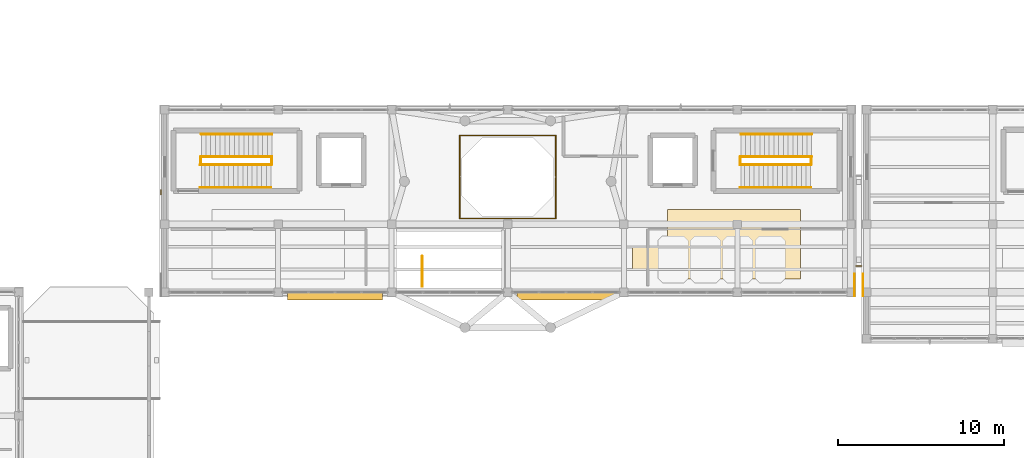
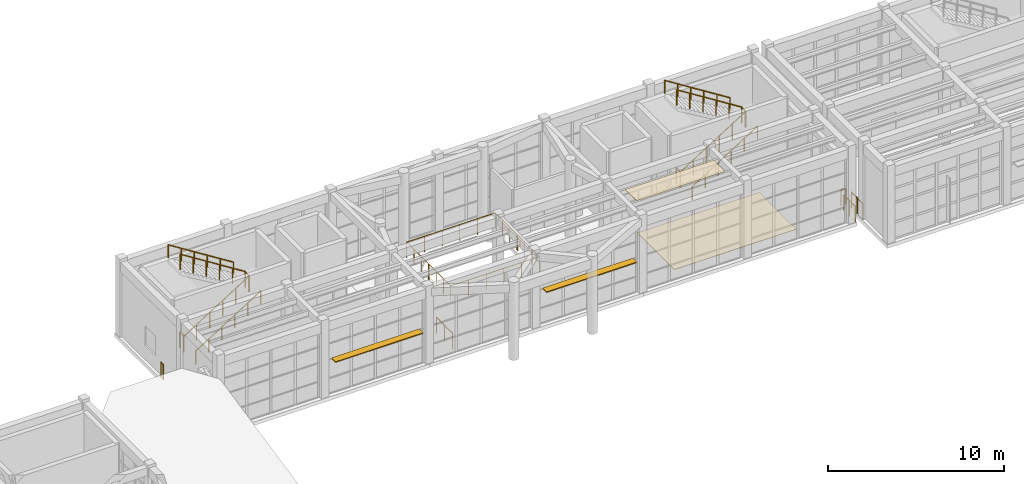
# One storey, part 98 of 103: 19 railings, 2 coverings, 2 shading devices.
"""IFC4 building model written with IfcOpenShell, lengths in metres."""

from ifc_helpers import new_model, si_unit, direction, frame, origin, origin_2d, place, context, subcontext, project, spatial, rectangle, circle, extrude, material, layer, layer_set, type_object, element, save


model = new_model("IFC4")

# Units and contexts
model_context = context("Model", 3, precision=1e-05, world=origin(), true_north=direction((0.0, 1.0)))
body_context = subcontext(model_context, "Body", "Model", "MODEL_VIEW")
ifc_project = project(units=[si_unit("LENGTHUNIT", "METRE"), si_unit("AREAUNIT", "SQUARE_METRE"), si_unit("VOLUMEUNIT", "CUBIC_METRE"), si_unit("PLANEANGLEUNIT", "RADIAN"), si_unit("MASSUNIT", "GRAM", prefix="KILO")], contexts=[model_context])

# Site, building, storey
site_placement = place(None, origin())
site = spatial("IfcSite", under=ifc_project, at=site_placement, CompositionType="ELEMENT")
building_placement = place(site_placement, origin())
building = spatial("IfcBuilding", under=site, at=building_placement, Name="Candilejo Ridge Gondola Terminal", CompositionType="ELEMENT")
storey_placement = place(building_placement, frame((0.0, 0.0, 9.0)))
storey = spatial("IfcBuildingStorey", under=building, at=storey_placement, Name="L02", CompositionType="ELEMENT", Elevation=9.0)

# Coverings
ifc_material_1 = material(Name="Perforated acoustic aluminium linear plank ceiling", Category="aluminium")
ifc_layer_1 = layer(ifc_material_1, 0.044921875)
ifc_layer_set_1 = layer_set([ifc_layer_1], Name="ARC-COV-CEILING-AC")
covering_type_1 = type_object("IfcCoveringType", Name="ARC-COV-CEILING-AC", PredefinedType="CEILING", material=ifc_layer_set_1)
covering_1_placement = place(storey_placement, frame((75.780029296875, 27.75, 5.130615234375), z_axis=(0.0, 0.0, 1.0), x_axis=(1.0, 0.0, 0.0)))
element("IfcCovering", 1, at=covering_1_placement, inside=storey, type_object=covering_type_1, Name="Acoustic ceiling CL-V2-L02-A", PredefinedType="CEILING", context=body_context, shape_type="SweptSolid", body=[
    extrude(rectangle(XDim=5.800048828125, YDim=1.300048828125, at=origin_2d()), origin(), (0.0, 0.0, 1.0), 0.044921875),
])
ifc_material_2 = material(Name="Flamed Andean grey granite tactile paving 30 mm", Category="masonry")
ifc_layer_2 = layer(ifc_material_2, 0.030029296875)
ifc_layer_set_2 = layer_set([ifc_layer_2], Name="ARC-COV-FLOORING-GRANITE")
covering_type_2 = type_object("IfcCoveringType", Name="ARC-COV-FLOORING-GRANITE", PredefinedType="FLOORING", material=ifc_layer_set_2)
covering_2_placement = place(storey_placement, frame((79.0, 28.60009765625, 0.0), z_axis=(0.0, 0.0, 1.0), x_axis=(1.0, 0.0, 0.0)))
element("IfcCovering", 2, at=covering_2_placement, inside=storey, type_object=covering_type_2, Name="Tactile granite flooring FLR-V2-GATE-E", PredefinedType="FLOORING", context=body_context, shape_type="SweptSolid", body=[
    extrude(rectangle(XDim=8.0, YDim=4.199951171875, at=origin_2d()), origin(), (0.0, 0.0, 1.0), 0.030029296875),
])

# Railings
ifc_material_3 = material(Name="Hot-dip galvanised steel ASTM A500 Grade B", Category="steel")
railing_type_1 = type_object("IfcRailingType", Name="ARC-GUARD-GLASS-1150", PredefinedType="GUARDRAIL", material=ifc_material_3)
railing_1_placement = place(storey_placement, frame((86.3701171875, 27.280029296875, 0.0)))
element("IfcRailing", 3, at=railing_1_placement, inside=storey, type_object=railing_type_1, Name="Link bridge guard LB-SJ2-L02-S", PredefinedType="GUARDRAIL", context=body_context, shape_type="SweptSolid", body=[
    extrude(circle(Radius=0.02392578125, at=origin_2d()), frame((0.0, 0.0, 1.076171875), z_axis=(1.0, 0.0, 0.0), x_axis=(0.0, 1.0, 0.0)), (0.0, 0.0, 1.0), 0.309814453125),
    extrude(circle(Radius=0.02099609375, at=origin_2d()), origin(), (0.0, 0.0, 1.0), 1.052001953125),
    extrude(circle(Radius=0.02099609375, at=origin_2d()), frame((0.309814453125, 0.0, 0.0)), (0.0, 0.0, 1.0), 1.052001953125),
])
railing_2_placement = place(storey_placement, frame((44.429931640625, 31.60009765625, 0.0)))
element("IfcRailing", 4, at=railing_2_placement, inside=storey, type_object=railing_type_1, Name="Deck edge guard GR-V2-L02-W2", PredefinedType="GUARDRAIL", context=body_context, shape_type="SweptSolid", body=[
    extrude(circle(Radius=0.02392578125, at=origin_2d()), frame((0.0, 0.0, 1.076171875), z_axis=(0.0, 1.0, 0.0), x_axis=(-1.0, 0.0, 0.0)), (0.0, 0.0, 1.0), 0.25),
    extrude(circle(Radius=0.02099609375, at=origin_2d()), origin(), (0.0, 0.0, 1.0), 1.052001953125),
    extrude(circle(Radius=0.02099609375, at=origin_2d()), frame((0.0, 0.25, 0.0)), (0.0, 0.0, 1.0), 1.052001953125),
])
for number, where, name in (
    (5, (86.27001953125, 25.47998046875, 0.0), "Deck edge guard GR-V2-L02-E1"),
    (6, (86.780029296875, 25.47998046875, 0.0), "Deck edge guard GR-V3-L02-W1"),
):
    element("IfcRailing", number, at=place(storey_placement, frame(where)), inside=storey, type_object=railing_type_1, Name=name, PredefinedType="GUARDRAIL", context=body_context, shape_type="SweptSolid", body=[
        extrude(circle(Radius=0.02392578125, at=origin_2d()), frame((0.0, 0.0, 1.076171875), z_axis=(0.0, 1.0, 0.0), x_axis=(-1.0, 0.0, 0.0)), (0.0, 0.0, 1.0), 1.320068359375),
        extrude(circle(Radius=0.02099609375, at=origin_2d()), origin(), (0.0, 0.0, 1.0), 1.052001953125),
        extrude(circle(Radius=0.02099609375, at=origin_2d()), frame((0.0, 0.66015625, 0.0)), (0.0, 0.0, 1.0), 1.052001953125),
        extrude(circle(Radius=0.02099609375, at=origin_2d()), frame((0.0, 1.320068359375, 0.0)), (0.0, 0.0, 1.0), 1.052001953125),
    ])
railing_3_placement = place(storey_placement, frame((62.449951171875, 32.610107421875, 0.0)))
element("IfcRailing", 7, at=railing_3_placement, inside=storey, type_object=railing_type_1, Name="Well balustrade GR-V2-OCT-L02-S", PredefinedType="GUARDRAIL", context=body_context, shape_type="SweptSolid", body=[
    extrude(circle(Radius=0.02392578125, at=origin_2d()), frame((0.0, 0.0, 1.076171875), z_axis=(0.0, -1.0, 0.0), x_axis=(1.0, 0.0, 0.0)), (0.0, 0.0, 1.0), 2.460205078125),
    extrude(circle(Radius=0.02392578125, at=origin_2d()), frame((0.0, -2.460205078125, 1.076171875), z_axis=(1.0, 0.0, 0.0), x_axis=(0.0, 1.0, 0.0)), (0.0, 0.0, 1.0), 5.800048828125),
    extrude(circle(Radius=0.02392578125, at=origin_2d()), frame((5.800048828125, -2.460205078125, 1.076171875), z_axis=(0.0, 1.0, 0.0), x_axis=(-1.0, 0.0, 0.0)), (0.0, 0.0, 1.0), 2.460205078125),
    extrude(circle(Radius=0.02099609375, at=origin_2d()), origin(), (0.0, 0.0, 1.0), 1.052001953125),
    extrude(circle(Radius=0.02099609375, at=origin_2d()), frame((0.0, -0.820068359375, 0.0)), (0.0, 0.0, 1.0), 1.052001953125),
    extrude(circle(Radius=0.02099609375, at=origin_2d()), frame((0.0, -1.64013671875, 0.0)), (0.0, 0.0, 1.0), 1.052001953125),
    extrude(circle(Radius=0.02099609375, at=origin_2d()), frame((0.0, -2.460205078125, 0.0)), (0.0, 0.0, 1.0), 1.052001953125),
    extrude(circle(Radius=0.02099609375, at=origin_2d()), frame((1.159912109375, -2.460205078125, 0.0)), (0.0, 0.0, 1.0), 1.052001953125),
    extrude(circle(Radius=0.02099609375, at=origin_2d()), frame((2.320068359375, -2.460205078125, 0.0)), (0.0, 0.0, 1.0), 1.052001953125),
    extrude(circle(Radius=0.02099609375, at=origin_2d()), frame((3.47998046875, -2.460205078125, 0.0)), (0.0, 0.0, 1.0), 1.052001953125),
    extrude(circle(Radius=0.02099609375, at=origin_2d()), frame((4.64013671875, -2.460205078125, 0.0)), (0.0, 0.0, 1.0), 1.052001953125),
    extrude(circle(Radius=0.02099609375, at=origin_2d()), frame((5.800048828125, -2.460205078125, 0.0)), (0.0, 0.0, 1.0), 1.052001953125),
    extrude(circle(Radius=0.02099609375, at=origin_2d()), frame((5.800048828125, -1.64013671875, 0.0)), (0.0, 0.0, 1.0), 1.052001953125),
    extrude(circle(Radius=0.02099609375, at=origin_2d()), frame((5.800048828125, -0.820068359375, 0.0)), (0.0, 0.0, 1.0), 1.052001953125),
    extrude(circle(Radius=0.02099609375, at=origin_2d()), frame((5.800048828125, 0.0, 0.0)), (0.0, 0.0, 1.0), 1.052001953125),
])
railing_4_placement = place(storey_placement, frame((62.449951171875, 32.68994140625, 0.0)))
element("IfcRailing", 8, at=railing_4_placement, inside=storey, type_object=railing_type_1, Name="Well balustrade GR-V2-OCT-L02-N", PredefinedType="GUARDRAIL", context=body_context, shape_type="SweptSolid", body=[
    extrude(circle(Radius=0.02392578125, at=origin_2d()), frame((0.0, 0.0, 1.076171875), z_axis=(0.0, 1.0, 0.0), x_axis=(-1.0, 0.0, 0.0)), (0.0, 0.0, 1.0), 2.4599609375),
    extrude(circle(Radius=0.02392578125, at=origin_2d()), frame((0.0, 2.4599609375, 1.076171875), z_axis=(1.0, 0.0, 0.0), x_axis=(0.0, 1.0, 0.0)), (0.0, 0.0, 1.0), 5.800048828125),
    extrude(circle(Radius=0.02392578125, at=origin_2d()), frame((5.800048828125, 2.4599609375, 1.076171875), z_axis=(0.0, -1.0, 0.0), x_axis=(1.0, 0.0, 0.0)), (0.0, 0.0, 1.0), 2.4599609375),
    extrude(circle(Radius=0.02099609375, at=origin_2d()), origin(), (0.0, 0.0, 1.0), 1.052001953125),
    extrude(circle(Radius=0.02099609375, at=origin_2d()), frame((0.0, 0.820068359375, 0.0)), (0.0, 0.0, 1.0), 1.052001953125),
    extrude(circle(Radius=0.02099609375, at=origin_2d()), frame((0.0, 1.639892578125, 0.0)), (0.0, 0.0, 1.0), 1.052001953125),
    extrude(circle(Radius=0.02099609375, at=origin_2d()), frame((0.0, 2.4599609375, 0.0)), (0.0, 0.0, 1.0), 1.052001953125),
    extrude(circle(Radius=0.02099609375, at=origin_2d()), frame((1.159912109375, 2.4599609375, 0.0)), (0.0, 0.0, 1.0), 1.052001953125),
    extrude(circle(Radius=0.02099609375, at=origin_2d()), frame((2.320068359375, 2.4599609375, 0.0)), (0.0, 0.0, 1.0), 1.052001953125),
    extrude(circle(Radius=0.02099609375, at=origin_2d()), frame((3.47998046875, 2.4599609375, 0.0)), (0.0, 0.0, 1.0), 1.052001953125),
    extrude(circle(Radius=0.02099609375, at=origin_2d()), frame((4.64013671875, 2.4599609375, 0.0)), (0.0, 0.0, 1.0), 1.052001953125),
    extrude(circle(Radius=0.02099609375, at=origin_2d()), frame((5.800048828125, 2.4599609375, 0.0)), (0.0, 0.0, 1.0), 1.052001953125),
    extrude(circle(Radius=0.02099609375, at=origin_2d()), frame((5.800048828125, 1.639892578125, 0.0)), (0.0, 0.0, 1.0), 1.052001953125),
    extrude(circle(Radius=0.02099609375, at=origin_2d()), frame((5.800048828125, 0.820068359375, 0.0)), (0.0, 0.0, 1.0), 1.052001953125),
    extrude(circle(Radius=0.02099609375, at=origin_2d()), frame((5.800048828125, 0.0, 0.0)), (0.0, 0.0, 1.0), 1.052001953125),
])
ifc_material_4 = material(Name="Hot-dip galvanised steel ASTM A500 Grade B", Category="steel")
railing_type_2 = type_object("IfcRailingType", Name="ARC-STAIR-GUARD-1100", PredefinedType="GUARDRAIL", material=ifc_material_4)
railing_5_placement = place(storey_placement, frame((46.830078125, 33.385009765625, 0.0)))
element("IfcRailing", 9, at=railing_5_placement, inside=storey, type_object=railing_type_2, Name="Arrival well guard ST-V2A-L01-ARR-L02", PredefinedType="GUARDRAIL", context=body_context, shape_type="SweptSolid", body=[
    extrude(circle(Radius=0.02392578125, at=origin_2d()), frame((0.0, 0.0, 1.076171875), z_axis=(0.0, 1.0, 0.0), x_axis=(-1.0, 0.0, 0.0)), (0.0, 0.0, 1.0), 0.47998046875),
    extrude(circle(Radius=0.02099609375, at=origin_2d()), origin(), (0.0, 0.0, 1.0), 1.052001953125),
    extrude(circle(Radius=0.02099609375, at=origin_2d()), frame((0.0, 0.47998046875, 0.0)), (0.0, 0.0, 1.0), 1.052001953125),
])
railing_6_placement = place(storey_placement, frame((46.800048828125, 33.385009765625, 0.0)))
element("IfcRailing", 10, at=railing_6_placement, inside=storey, type_object=railing_type_2, Name="Flight well guard ST-V2A-F05", PredefinedType="GUARDRAIL", context=body_context, shape_type="SweptSolid", body=[
    extrude(circle(Radius=0.02392578125, at=origin_2d()), frame((0.0, 0.0, 1.076171875), z_axis=(0.845487755639, 0.0, 0.533994808088), x_axis=(0.0, 1.0, 0.0)), (0.0, 0.0, 1.0), 5.05615234375),
    extrude(circle(Radius=0.02099609375, at=origin_2d()), origin(), (0.0, 0.0, 1.0), 1.052001953125),
    extrude(circle(Radius=0.02099609375, at=origin_2d()), frame((0.85498046875, 0.0, 0.5400390625)), (0.0, 0.0, 1.0), 1.052001953125),
    extrude(circle(Radius=0.02099609375, at=origin_2d()), frame((1.7099609375, 0.0, 1.080078125)), (0.0, 0.0, 1.0), 1.052001953125),
    extrude(circle(Radius=0.02099609375, at=origin_2d()), frame((2.56494140625, 0.0, 1.619873046875)), (0.0, 0.0, 1.0), 1.052001953125),
    extrude(circle(Radius=0.02099609375, at=origin_2d()), frame((3.419921875, 0.0, 2.159912109375)), (0.0, 0.0, 1.0), 1.052001953125),
    extrude(circle(Radius=0.02099609375, at=origin_2d()), frame((4.27490234375, 0.0, 2.699951171875)), (0.0, 0.0, 1.0), 1.052001953125),
])
railing_7_placement = place(storey_placement, frame((51.10498046875, 33.385009765625, 2.699951171875)))
element("IfcRailing", 11, at=railing_7_placement, inside=storey, type_object=railing_type_2, Name="Half-landing slot guard ST-V2A-LND-03", PredefinedType="GUARDRAIL", context=body_context, shape_type="SweptSolid", body=[
    extrude(circle(Radius=0.02392578125, at=origin_2d()), frame((0.0, 0.0, 1.076171875), z_axis=(0.0, 1.0, 0.0), x_axis=(-1.0, 0.0, 0.0)), (0.0, 0.0, 1.0), 0.47998046875),
    extrude(circle(Radius=0.02099609375, at=origin_2d()), origin(), (0.0, 0.0, 1.0), 1.052001953125),
    extrude(circle(Radius=0.02099609375, at=origin_2d()), frame((0.0, 0.47998046875, 0.0)), (0.0, 0.0, 1.0), 1.052001953125),
])
railing_8_placement = place(storey_placement, frame((51.135009765625, 33.864990234375, 2.699951171875)))
element("IfcRailing", 12, at=railing_8_placement, inside=storey, type_object=railing_type_2, Name="Flight well guard ST-V2A-F06", PredefinedType="GUARDRAIL", context=body_context, shape_type="SweptSolid", body=[
    extrude(circle(Radius=0.02392578125, at=origin_2d()), frame((0.0, 0.0, 1.076171875), z_axis=(-0.845487755639, 0.0, 0.533994808088), x_axis=(0.0, -1.0, 0.0)), (0.0, 0.0, 1.0), 5.05615234375),
    extrude(circle(Radius=0.02099609375, at=origin_2d()), origin(), (0.0, 0.0, 1.0), 1.052001953125),
    extrude(circle(Radius=0.02099609375, at=origin_2d()), frame((-0.85498046875, 0.0, 0.5400390625)), (0.0, 0.0, 1.0), 1.052001953125),
    extrude(circle(Radius=0.02099609375, at=origin_2d()), frame((-1.7099609375, 0.0, 1.080078125)), (0.0, 0.0, 1.0), 1.052001953125),
    extrude(circle(Radius=0.02099609375, at=origin_2d()), frame((-2.56494140625, 0.0, 1.619873046875)), (0.0, 0.0, 1.0), 1.052001953125),
    extrude(circle(Radius=0.02099609375, at=origin_2d()), frame((-3.419921875, 0.0, 2.159912109375)), (0.0, 0.0, 1.0), 1.052001953125),
    extrude(circle(Radius=0.02099609375, at=origin_2d()), frame((-4.27490234375, 0.0, 2.699951171875)), (0.0, 0.0, 1.0), 1.052001953125),
])
railing_9_placement = place(storey_placement, frame((79.3798828125, 33.385009765625, 0.0)))
element("IfcRailing", 13, at=railing_9_placement, inside=storey, type_object=railing_type_2, Name="Arrival well guard ST-V2B-L01-ARR-L02", PredefinedType="GUARDRAIL", context=body_context, shape_type="SweptSolid", body=[
    extrude(circle(Radius=0.02392578125, at=origin_2d()), frame((0.0, 0.0, 1.076171875), z_axis=(0.0, 1.0, 0.0), x_axis=(-1.0, 0.0, 0.0)), (0.0, 0.0, 1.0), 0.47998046875),
    extrude(circle(Radius=0.02099609375, at=origin_2d()), origin(), (0.0, 0.0, 1.0), 1.052001953125),
    extrude(circle(Radius=0.02099609375, at=origin_2d()), frame((0.0, 0.47998046875, 0.0)), (0.0, 0.0, 1.0), 1.052001953125),
])
railing_10_placement = place(storey_placement, frame((79.35009765625, 33.385009765625, 0.0)))
element("IfcRailing", 14, at=railing_10_placement, inside=storey, type_object=railing_type_2, Name="Flight well guard ST-V2B-F05", PredefinedType="GUARDRAIL", context=body_context, shape_type="SweptSolid", body=[
    extrude(circle(Radius=0.02392578125, at=origin_2d()), frame((0.0, 0.0, 1.076171875), z_axis=(0.845487755639, 0.0, 0.533994808088), x_axis=(0.0, 1.0, 0.0)), (0.0, 0.0, 1.0), 5.05615234375),
    extrude(circle(Radius=0.02099609375, at=origin_2d()), origin(), (0.0, 0.0, 1.0), 1.052001953125),
    extrude(circle(Radius=0.02099609375, at=origin_2d()), frame((0.85498046875, 0.0, 0.5400390625)), (0.0, 0.0, 1.0), 1.052001953125),
    extrude(circle(Radius=0.02099609375, at=origin_2d()), frame((1.7099609375, 0.0, 1.080078125)), (0.0, 0.0, 1.0), 1.052001953125),
    extrude(circle(Radius=0.02099609375, at=origin_2d()), frame((2.56494140625, 0.0, 1.619873046875)), (0.0, 0.0, 1.0), 1.052001953125),
    extrude(circle(Radius=0.02099609375, at=origin_2d()), frame((3.419921875, 0.0, 2.159912109375)), (0.0, 0.0, 1.0), 1.052001953125),
    extrude(circle(Radius=0.02099609375, at=origin_2d()), frame((4.27490234375, 0.0, 2.699951171875)), (0.0, 0.0, 1.0), 1.052001953125),
])
railing_11_placement = place(storey_placement, frame((83.655029296875, 33.385009765625, 2.699951171875)))
element("IfcRailing", 15, at=railing_11_placement, inside=storey, type_object=railing_type_2, Name="Half-landing slot guard ST-V2B-LND-03", PredefinedType="GUARDRAIL", context=body_context, shape_type="SweptSolid", body=[
    extrude(circle(Radius=0.02392578125, at=origin_2d()), frame((0.0, 0.0, 1.076171875), z_axis=(0.0, 1.0, 0.0), x_axis=(-1.0, 0.0, 0.0)), (0.0, 0.0, 1.0), 0.47998046875),
    extrude(circle(Radius=0.02099609375, at=origin_2d()), origin(), (0.0, 0.0, 1.0), 1.052001953125),
    extrude(circle(Radius=0.02099609375, at=origin_2d()), frame((0.0, 0.47998046875, 0.0)), (0.0, 0.0, 1.0), 1.052001953125),
])
railing_12_placement = place(storey_placement, frame((83.68505859375, 33.864990234375, 2.699951171875)))
element("IfcRailing", 16, at=railing_12_placement, inside=storey, type_object=railing_type_2, Name="Flight well guard ST-V2B-F06", PredefinedType="GUARDRAIL", context=body_context, shape_type="SweptSolid", body=[
    extrude(circle(Radius=0.02392578125, at=origin_2d()), frame((0.0, 0.0, 1.076171875), z_axis=(-0.845501523569, 0.0, 0.533973008346), x_axis=(0.0, -1.0, 0.0)), (0.0, 0.0, 1.0), 5.056396484375),
    extrude(circle(Radius=0.02099609375, at=origin_2d()), origin(), (0.0, 0.0, 1.0), 1.052001953125),
    extrude(circle(Radius=0.02099609375, at=origin_2d()), frame((-0.85498046875, 0.0, 0.5400390625)), (0.0, 0.0, 1.0), 1.052001953125),
    extrude(circle(Radius=0.02099609375, at=origin_2d()), frame((-1.7099609375, 0.0, 1.080078125)), (0.0, 0.0, 1.0), 1.052001953125),
    extrude(circle(Radius=0.02099609375, at=origin_2d()), frame((-2.565185546875, 0.0, 1.619873046875)), (0.0, 0.0, 1.0), 1.052001953125),
    extrude(circle(Radius=0.02099609375, at=origin_2d()), frame((-3.420166015625, 0.0, 2.159912109375)), (0.0, 0.0, 1.0), 1.052001953125),
    extrude(circle(Radius=0.02099609375, at=origin_2d()), frame((-4.275146484375, 0.0, 2.699951171875)), (0.0, 0.0, 1.0), 1.052001953125),
])
railing_13_placement = place(storey_placement, frame((60.18994140625, 26.034912109375, 0.0)))
element("IfcRailing", 17, at=railing_13_placement, inside=storey, type_object=railing_type_2, Name="Public stair arrival well guard ST-P02-ARR-L02", PredefinedType="GUARDRAIL", context=body_context, shape_type="SweptSolid", body=[
    extrude(circle(Radius=0.02392578125, at=origin_2d()), frame((0.0, 0.0, 1.076171875), z_axis=(0.0, 1.0, 0.0), x_axis=(-1.0, 0.0, 0.0)), (0.0, 0.0, 1.0), 1.830078125),
    extrude(circle(Radius=0.02099609375, at=origin_2d()), origin(), (0.0, 0.0, 1.0), 1.052001953125),
    extrude(circle(Radius=0.02099609375, at=origin_2d()), frame((0.0, 0.9150390625, 0.0)), (0.0, 0.0, 1.0), 1.052001953125),
    extrude(circle(Radius=0.02099609375, at=origin_2d()), frame((0.0, 1.830078125, 0.0)), (0.0, 0.0, 1.0), 1.052001953125),
])
ifc_material_5 = material(Name="Brushed stainless steel AISI 316", Category="steel")
railing_type_3 = type_object("IfcRailingType", Name="ARC-STAIR-HANDRAIL-920", PredefinedType="HANDRAIL", material=ifc_material_5)
railing_14_placement = place(storey_placement, frame((46.800048828125, 32.014892578125, 0.0)))
element("IfcRailing", 18, at=railing_14_placement, inside=storey, type_object=railing_type_3, Name="Wall handrail ST-V2A-F05", PredefinedType="HANDRAIL", context=body_context, shape_type="SweptSolid", body=[
    extrude(circle(Radius=0.02392578125, at=origin_2d()), frame((0.0, 0.0, 0.89599609375), z_axis=(0.845487755639, 0.0, 0.533994808088), x_axis=(0.0, 1.0, 0.0)), (0.0, 0.0, 1.0), 5.05615234375),
    extrude(circle(Radius=0.02099609375, at=origin_2d()), origin(), (0.0, 0.0, 1.0), 0.871826171875),
    extrude(circle(Radius=0.02099609375, at=origin_2d()), frame((0.85498046875, 0.0, 0.5400390625)), (0.0, 0.0, 1.0), 0.871826171875),
    extrude(circle(Radius=0.02099609375, at=origin_2d()), frame((1.7099609375, 0.0, 1.080078125)), (0.0, 0.0, 1.0), 0.871826171875),
    extrude(circle(Radius=0.02099609375, at=origin_2d()), frame((2.56494140625, 0.0, 1.619873046875)), (0.0, 0.0, 1.0), 0.871826171875),
    extrude(circle(Radius=0.02099609375, at=origin_2d()), frame((3.419921875, 0.0, 2.159912109375)), (0.0, 0.0, 1.0), 0.871826171875),
    extrude(circle(Radius=0.02099609375, at=origin_2d()), frame((4.27490234375, 0.0, 2.699951171875)), (0.0, 0.0, 1.0), 0.871826171875),
])
railing_15_placement = place(storey_placement, frame((51.135009765625, 35.235107421875, 2.699951171875)))
element("IfcRailing", 19, at=railing_15_placement, inside=storey, type_object=railing_type_3, Name="Wall handrail ST-V2A-F06", PredefinedType="HANDRAIL", context=body_context, shape_type="SweptSolid", body=[
    extrude(circle(Radius=0.02392578125, at=origin_2d()), frame((0.0, 0.0, 0.89599609375), z_axis=(-0.845487755639, 0.0, 0.533994808088), x_axis=(0.0, -1.0, 0.0)), (0.0, 0.0, 1.0), 5.05615234375),
    extrude(circle(Radius=0.02099609375, at=origin_2d()), origin(), (0.0, 0.0, 1.0), 0.871826171875),
    extrude(circle(Radius=0.02099609375, at=origin_2d()), frame((-0.85498046875, 0.0, 0.5400390625)), (0.0, 0.0, 1.0), 0.871826171875),
    extrude(circle(Radius=0.02099609375, at=origin_2d()), frame((-1.7099609375, 0.0, 1.080078125)), (0.0, 0.0, 1.0), 0.871826171875),
    extrude(circle(Radius=0.02099609375, at=origin_2d()), frame((-2.56494140625, 0.0, 1.619873046875)), (0.0, 0.0, 1.0), 0.871826171875),
    extrude(circle(Radius=0.02099609375, at=origin_2d()), frame((-3.419921875, 0.0, 2.159912109375)), (0.0, 0.0, 1.0), 0.871826171875),
    extrude(circle(Radius=0.02099609375, at=origin_2d()), frame((-4.27490234375, 0.0, 2.699951171875)), (0.0, 0.0, 1.0), 0.871826171875),
])
railing_16_placement = place(storey_placement, frame((79.35009765625, 32.014892578125, 0.0)))
element("IfcRailing", 20, at=railing_16_placement, inside=storey, type_object=railing_type_3, Name="Wall handrail ST-V2B-F05", PredefinedType="HANDRAIL", context=body_context, shape_type="SweptSolid", body=[
    extrude(circle(Radius=0.02392578125, at=origin_2d()), frame((0.0, 0.0, 0.89599609375), z_axis=(0.845487755639, 0.0, 0.533994808088), x_axis=(0.0, 1.0, 0.0)), (0.0, 0.0, 1.0), 5.05615234375),
    extrude(circle(Radius=0.02099609375, at=origin_2d()), origin(), (0.0, 0.0, 1.0), 0.871826171875),
    extrude(circle(Radius=0.02099609375, at=origin_2d()), frame((0.85498046875, 0.0, 0.5400390625)), (0.0, 0.0, 1.0), 0.871826171875),
    extrude(circle(Radius=0.02099609375, at=origin_2d()), frame((1.7099609375, 0.0, 1.080078125)), (0.0, 0.0, 1.0), 0.871826171875),
    extrude(circle(Radius=0.02099609375, at=origin_2d()), frame((2.56494140625, 0.0, 1.619873046875)), (0.0, 0.0, 1.0), 0.871826171875),
    extrude(circle(Radius=0.02099609375, at=origin_2d()), frame((3.419921875, 0.0, 2.159912109375)), (0.0, 0.0, 1.0), 0.871826171875),
    extrude(circle(Radius=0.02099609375, at=origin_2d()), frame((4.27490234375, 0.0, 2.699951171875)), (0.0, 0.0, 1.0), 0.871826171875),
])
railing_17_placement = place(storey_placement, frame((83.68505859375, 35.235107421875, 2.699951171875)))
element("IfcRailing", 21, at=railing_17_placement, inside=storey, type_object=railing_type_3, Name="Wall handrail ST-V2B-F06", PredefinedType="HANDRAIL", context=body_context, shape_type="SweptSolid", body=[
    extrude(circle(Radius=0.02392578125, at=origin_2d()), frame((0.0, 0.0, 0.89599609375), z_axis=(-0.845501523569, 0.0, 0.533973008346), x_axis=(0.0, -1.0, 0.0)), (0.0, 0.0, 1.0), 5.056396484375),
    extrude(circle(Radius=0.02099609375, at=origin_2d()), origin(), (0.0, 0.0, 1.0), 0.871826171875),
    extrude(circle(Radius=0.02099609375, at=origin_2d()), frame((-0.85498046875, 0.0, 0.5400390625)), (0.0, 0.0, 1.0), 0.871826171875),
    extrude(circle(Radius=0.02099609375, at=origin_2d()), frame((-1.7099609375, 0.0, 1.080078125)), (0.0, 0.0, 1.0), 0.871826171875),
    extrude(circle(Radius=0.02099609375, at=origin_2d()), frame((-2.565185546875, 0.0, 1.619873046875)), (0.0, 0.0, 1.0), 0.871826171875),
    extrude(circle(Radius=0.02099609375, at=origin_2d()), frame((-3.420166015625, 0.0, 2.159912109375)), (0.0, 0.0, 1.0), 0.871826171875),
    extrude(circle(Radius=0.02099609375, at=origin_2d()), frame((-4.275146484375, 0.0, 2.699951171875)), (0.0, 0.0, 1.0), 0.871826171875),
])

# Shading devices
ifc_material_6 = material(Name="Anodised aluminium AA 6063-T6", Category="aluminum")
shading_device_type = type_object("IfcShadingDeviceType", Name="ARC-SHADING-JALOUSIE-450", PredefinedType="JALOUSIE", material=ifc_material_6)
shading_device_1_placement = place(storey_placement, frame((54.925048828125, 25.4609375, 2.367431640625)))
element("IfcShadingDevice", 22, at=shading_device_1_placement, inside=storey, type_object=shading_device_type, Name="Horizontal solar louvre LVR-V2-04", PredefinedType="JALOUSIE", context=body_context, shape_type="SweptSolid", body=[
    extrude(rectangle(XDim=5.75, YDim=0.449951171875, at=origin_2d()), origin(), (0.0, 0.0, 1.0), 0.06494140625),
])
shading_device_2_placement = place(storey_placement, frame((68.85009765625, 25.4609375, 2.367431640625)))
element("IfcShadingDevice", 23, at=shading_device_2_placement, inside=storey, type_object=shading_device_type, Name="Horizontal solar louvre LVR-V2-05", PredefinedType="JALOUSIE", context=body_context, shape_type="SweptSolid", body=[
    extrude(rectangle(XDim=5.89990234375, YDim=0.449951171875, at=origin_2d()), origin(), (0.0, 0.0, 1.0), 0.06494140625),
])

save(model, "model.ifc")
